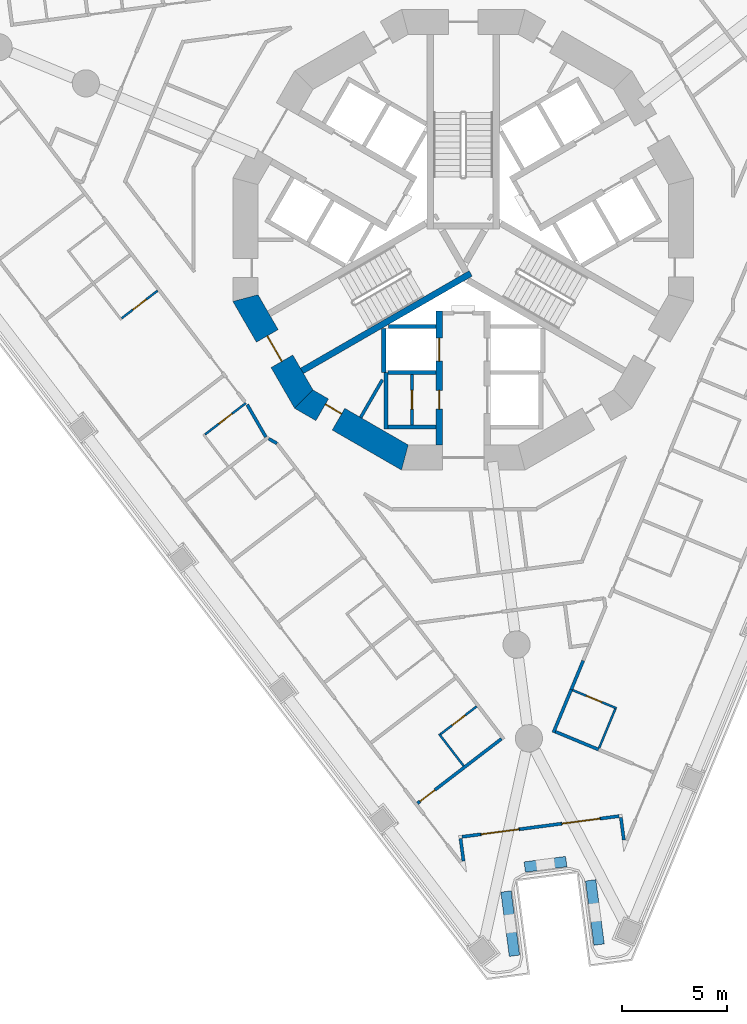
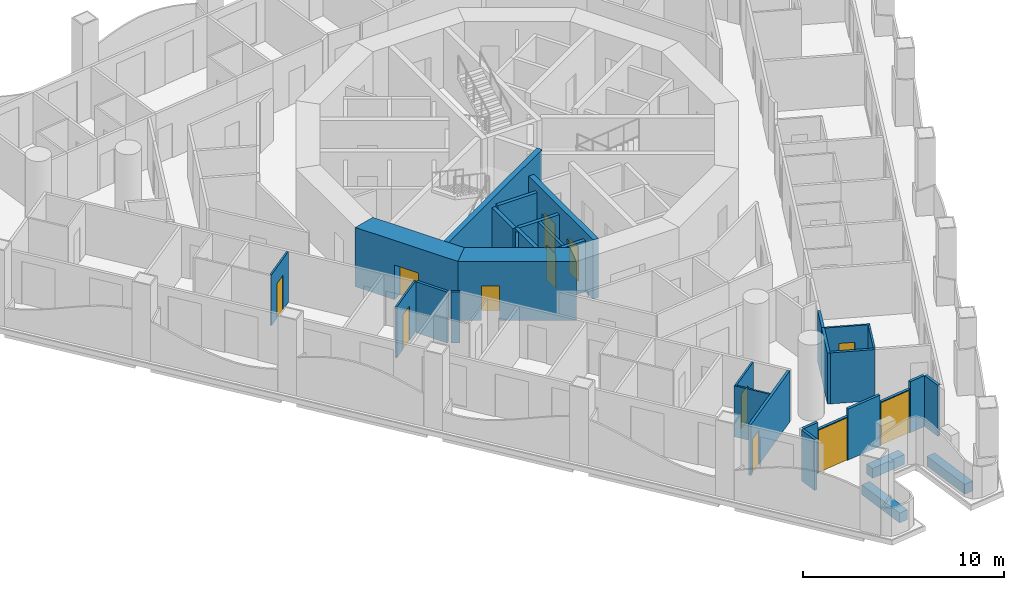
# One storey, part 3 of 19: 33 walls, 12 doors, 12 openings.
"""IFC4 building model written with IfcOpenShell, lengths in metres."""

from ifc_helpers import new_model, si_unit, direction, frame, frame_2d, origin, place, context, subcontext, project, spatial, polyline, rectangle, outline, extrude, material, layer, layer_set, type_object, element, fill, save


model = new_model("IFC4")

# Units and contexts
model_context = context("Model", 3, precision=1e-05, world=origin(), true_north=direction((0.0, 1.0)))
body_context = subcontext(model_context, "Body", "Model", "MODEL_VIEW")
ifc_project = project(units=[si_unit("LENGTHUNIT", "METRE"), si_unit("AREAUNIT", "SQUARE_METRE"), si_unit("VOLUMEUNIT", "CUBIC_METRE"), si_unit("PLANEANGLEUNIT", "RADIAN"), si_unit("MASSUNIT", "GRAM", prefix="KILO")], contexts=[model_context])

# Site, building, storey
site_placement = place(None, origin())
site = spatial("IfcSite", under=ifc_project, at=site_placement, CompositionType="ELEMENT")
building_placement = place(site_placement, origin())
building = spatial("IfcBuilding", under=site, at=building_placement, Name="Trine Commons Tower", CompositionType="ELEMENT")
storey_placement = place(building_placement, frame((0.0, 0.0, 79.199951171875)))
storey = spatial("IfcBuildingStorey", under=building, at=storey_placement, Name="L19", CompositionType="ELEMENT", Elevation=79.199951171875)

# Wall
ifc_material_1 = material(Name="Plasterboard partition on steel studs", Category="steel")
ifc_layer_1 = layer(ifc_material_1, 0.14990234375)
ifc_layer_set_1 = layer_set([ifc_layer_1], Name="Plasterboard partition on steel studs")
wall_type_1 = type_object("IfcWallType", Name="Core room partition 150 mm, EI 60", PredefinedType="PARTITIONING", material=ifc_layer_set_1)
wall_1_placement = place(storey_placement, frame((75.094970703125, 54.0029296875, 0.0), z_axis=(0.0, 0.0, 1.0), x_axis=(0.5000780968, 0.865980309881, 0.0)))
element("IfcWall", 1, at=wall_1_placement, inside=storey, type_object=wall_type_1, Name="Core room partition L19", PredefinedType="PARTITIONING", context=body_context, shape_type="SweptSolid", body=[
    extrude(rectangle(XDim=2.079833984375, YDim=0.14990234375, at=frame_2d((1.0400390625, 0.0))), origin(), (0.0, 0.0, 1.0), 3.10009765625),
])

# Wall, opening, door
wall_2_placement = place(storey_placement, frame((77.550048828125, 56.050048828125, 0.0), z_axis=(0.0, 0.0, 1.0), x_axis=(0.0, -1.0, 0.0)))
wall_2 = element("IfcWall", 2, at=wall_2_placement, inside=storey, type_object=wall_type_1, Name="Core room partition L19", PredefinedType="PARTITIONING", context=body_context, shape_type="SweptSolid", body=[
    extrude(rectangle(XDim=2.400146484375, YDim=0.14990234375, at=frame_2d((1.2001953125, 0.0))), origin(), (0.0, 0.0, 1.0), 3.10009765625),
])
opening_1_placement = place(wall_2_placement, frame((0.75, 0.0, 0.0)))
opening_1 = element("IfcOpeningElement", 3, at=opening_1_placement, cuts=wall_2, Name="Opening K06.11", PredefinedType="OPENING", context=body_context, shape_type="SweptSolid", body=[
    extrude(rectangle(XDim=0.89990234375, YDim=2.10009765625, at=frame_2d((0.449951171875, 1.050048828125))), frame((0.0, 0.0849609375, 0.0), z_axis=(0.0, -1.0, 0.0), x_axis=(1.0, 0.0, 0.0)), (0.0, 0.0, 1.0), 0.169921875),
])
ifc_material_2 = material(Name="Steel door leaf, fire-rated", Category="steel")
door_type_1 = type_object("IfcDoorType", Name="Core room door, single leaf 900 x 2100, FD30S", OperationType="SINGLE_SWING_LEFT", PredefinedType="DOOR", material=ifc_material_2)
door_1_placement = place(opening_1_placement, frame((0.89990234375, 0.0, 0.0), z_axis=(0.0, 0.0, 1.0), x_axis=(-1.0, 0.0, 0.0)))
door_1 = element("IfcDoor", 4, at=door_1_placement, inside=storey, type_object=door_type_1, Name="Door to Comms room L19", OperationType="SINGLE_SWING_LEFT", OverallHeight=2.10009765625, OverallWidth=0.89990234375, PredefinedType="DOOR", context=body_context, shape_type="SweptSolid", body=[
    extrude(rectangle(XDim=0.89990234375, YDim=2.10009765625, at=frame_2d((0.449951171875, 1.050048828125))), frame((0.0, 0.02490234375, 0.0), z_axis=(0.0, -1.0, 0.0), x_axis=(1.0, 0.0, 0.0)), (0.0, 0.0, 1.0), 0.050048828125),
])
fill(opening_1, door_1)

# Walls
ifc_material_3 = material(Name="Aluminium-framed insulated wall panel", Category="aluminium")
ifc_layer_2 = layer(ifc_material_3, 0.14990234375)
ifc_layer_set_2 = layer_set([ifc_layer_2], Name="Aluminium-framed insulated wall panel")
wall_type_2 = type_object("IfcWallType", Name="Glazed frame wall 150, EI 60", PredefinedType="SOLIDWALL", material=ifc_layer_set_2)
wall_3_placement = place(storey_placement, frame((87.6953125, 33.6591796875, 0.0), z_axis=(0.0, 0.0, 1.0), x_axis=(-0.130510858064, 0.991446880033, 0.0)))
element("IfcWall", 5, at=wall_3_placement, inside=storey, type_object=wall_type_2, Name="Glazed frame wall R9", PredefinedType="SOLIDWALL", context=body_context, shape_type="SweptSolid", body=[
    extrude(outline(polyline([(0.1494140625, 0.074951171875), (0.1494140625, -0.074951171875), (1.235107421875, -0.074951171875), (1.235107421875, 0.074951171875), (0.1494140625, 0.074951171875)])), origin(), (0.0, 0.0, 1.0), 3.10009765625),
])
wall_4_placement = place(storey_placement, frame((87.55908203125, 34.96240234375, 0.0), z_axis=(0.0, 0.0, 1.0), x_axis=(-0.991465094935, -0.130372410907, 0.0)))
element("IfcWall", 6, at=wall_4_placement, inside=storey, type_object=wall_type_2, Name="Glazed frame wall P3.1", PredefinedType="SOLIDWALL", context=body_context, shape_type="SweptSolid", body=[
    extrude(outline(polyline([(0.110107421875, -0.074951171875), (1.0, -0.074951171875), (1.0, 0.074951171875), (0.110107421875, 0.074951171875), (0.110107421875, -0.074951171875)])), origin(), (0.0, 0.0, 1.0), 3.10009765625),
])

# Wall, opening, door
wall_5_placement = place(storey_placement, frame((86.567626953125, 34.83203125, 0.0), z_axis=(0.0, 0.0, 1.0), x_axis=(-0.991442045538, -0.130547578832, 0.0)))
wall_5 = element("IfcWall", 7, at=wall_5_placement, inside=storey, type_object=wall_type_2, Name="Glazed frame wall P3.2", PredefinedType="SOLIDWALL", context=body_context, shape_type="SweptSolid", body=[
    extrude(outline(polyline([(0.0, -0.074951171875), (1.89990234375, -0.074951171875), (1.89990234375, 0.074951171875), (0.0, 0.074951171875), (0.0, -0.074951171875)])), origin(), (0.0, 0.0, 1.0), 2.650146484375),
])
opening_2_placement = place(wall_5_placement, frame((0.050048828125, 0.0, 0.0)))
opening_2 = element("IfcOpeningElement", 8, at=opening_2_placement, cuts=wall_5, Name="Opening BD-2P3-01", PredefinedType="OPENING", context=body_context, shape_type="SweptSolid", body=[
    extrude(rectangle(XDim=1.800048828125, YDim=2.60009765625, at=frame_2d((0.89990234375, 1.300048828125))), frame((0.0, 0.0849609375, 0.0), z_axis=(0.0, -1.0, 0.0), x_axis=(1.0, 0.0, 0.0)), (0.0, 0.0, 1.0), 0.169921875),
])
ifc_material_4 = material(Name="Anodised aluminium frame with double glazing", Category="aluminium")
door_type_2 = type_object("IfcDoorType", Name="Sliding loggia door 1800x2600", OperationType="SLIDING_TO_LEFT", PredefinedType="DOOR", material=ifc_material_4)
door_2_placement = place(opening_2_placement, origin())
door_2 = element("IfcDoor", 9, at=door_2_placement, inside=storey, type_object=door_type_2, Name="Loggia door P3 1", OperationType="SLIDING_TO_LEFT", OverallHeight=2.60009765625, OverallWidth=1.800048828125, PredefinedType="DOOR", context=body_context, shape_type="SweptSolid", body=[
    extrude(rectangle(XDim=1.800048828125, YDim=2.60009765625, at=frame_2d((0.89990234375, 1.300048828125))), frame((0.0, 0.02490234375, 0.0), z_axis=(0.0, -1.0, 0.0), x_axis=(1.0, 0.0, 0.0)), (0.0, 0.0, 1.0), 0.050048828125),
])
fill(opening_2, door_2)

# Wall
wall_6_placement = place(storey_placement, frame((84.683837890625, 34.583984375, 0.0), z_axis=(0.0, 0.0, 1.0), x_axis=(-0.991449308994, -0.130492404742, 0.0)))
element("IfcWall", 10, at=wall_6_placement, inside=storey, type_object=wall_type_2, Name="Glazed frame wall P3.3", PredefinedType="SOLIDWALL", context=body_context, shape_type="SweptSolid", body=[
    extrude(outline(polyline([(0.0, -0.074951171875), (2.0, -0.074951171875), (2.0, 0.074951171875), (0.0, 0.074951171875), (0.0, -0.074951171875)])), origin(), (0.0, 0.0, 1.0), 3.10009765625),
])

# Wall, opening, door
wall_7_placement = place(storey_placement, frame((82.700927734375, 34.322998046875, 0.0), z_axis=(0.0, 0.0, 1.0), x_axis=(-0.991442045538, -0.130547578832, 0.0)))
wall_7 = element("IfcWall", 11, at=wall_7_placement, inside=storey, type_object=wall_type_2, Name="Glazed frame wall P3.4", PredefinedType="SOLIDWALL", context=body_context, shape_type="SweptSolid", body=[
    extrude(outline(polyline([(0.0, -0.074951171875), (1.89990234375, -0.074951171875), (1.89990234375, 0.074951171875), (0.0, 0.074951171875), (0.0, -0.074951171875)])), origin(), (0.0, 0.0, 1.0), 2.650146484375),
])
opening_3_placement = place(wall_7_placement, frame((0.050048828125, 0.0, 0.0)))
opening_3 = element("IfcOpeningElement", 12, at=opening_3_placement, cuts=wall_7, Name="Opening BD-2P3-02", PredefinedType="OPENING", context=body_context, shape_type="SweptSolid", body=[
    extrude(rectangle(XDim=1.800048828125, YDim=2.60009765625, at=frame_2d((0.89990234375, 1.300048828125))), frame((0.0, 0.0849609375, 0.0), z_axis=(0.0, -1.0, 0.0), x_axis=(1.0, 0.0, 0.0)), (0.0, 0.0, 1.0), 0.169921875),
])
door_3_placement = place(opening_3_placement, origin())
door_3 = element("IfcDoor", 13, at=door_3_placement, inside=storey, type_object=door_type_2, Name="Loggia door P3 2", OperationType="SLIDING_TO_LEFT", OverallHeight=2.60009765625, OverallWidth=1.800048828125, PredefinedType="DOOR", context=body_context, shape_type="SweptSolid", body=[
    extrude(rectangle(XDim=1.800048828125, YDim=2.60009765625, at=frame_2d((0.89990234375, 1.300048828125))), frame((0.0, 0.02490234375, 0.0), z_axis=(0.0, -1.0, 0.0), x_axis=(1.0, 0.0, 0.0)), (0.0, 0.0, 1.0), 0.050048828125),
])
fill(opening_3, door_3)

# Walls
wall_8_placement = place(storey_placement, frame((80.817138671875, 34.074951171875, 0.0), z_axis=(0.0, 0.0, 1.0), x_axis=(-0.991433509034, -0.130612392842, 0.0)))
element("IfcWall", 14, at=wall_8_placement, inside=storey, type_object=wall_type_2, Name="Glazed frame wall P3.5", PredefinedType="SOLIDWALL", context=body_context, shape_type="SweptSolid", body=[
    extrude(outline(polyline([(0.889892578125, 0.074951171875), (0.0, 0.074951171875), (0.0, -0.074951171875), (0.889892578125, -0.074951171875), (0.889892578125, 0.074951171875)])), origin(), (0.0, 0.0, 1.0), 3.10009765625),
])
wall_9_placement = place(storey_placement, frame((79.85595703125, 33.983642578125, 0.0), z_axis=(0.0, 0.0, 1.0), x_axis=(0.130510858064, -0.991446880033, 0.0)))
element("IfcWall", 15, at=wall_9_placement, inside=storey, type_object=wall_type_2, Name="Glazed frame wall R11", PredefinedType="SOLIDWALL", context=body_context, shape_type="SweptSolid", body=[
    extrude(outline(polyline([(0.110107421875, 0.074951171875), (0.110107421875, -0.074951171875), (1.19580078125, -0.074951171875), (1.19580078125, 0.074951171875), (0.110107421875, 0.074951171875)])), origin(), (0.0, 0.0, 1.0), 3.10009765625),
])
ifc_material_5 = material(Name="Planter trough, precast concrete C40/50", Category="concrete")
ifc_layer_3 = layer(ifc_material_5, 0.5)
ifc_layer_set_3 = layer_set([ifc_layer_3], Name="Planter trough, precast concrete C40/50")
wall_type_3 = type_object("IfcWallType", Name="Planter trough 500x600", PredefinedType="PARAPET", material=ifc_layer_set_3)
wall_10_placement = place(storey_placement, frame((86.493408203125, 28.805908203125, 0.0), z_axis=(0.0, 0.0, 1.0), x_axis=(-0.130507484591, 0.9914473241, 0.0)))
element("IfcWall", 16, at=wall_10_placement, inside=storey, type_object=wall_type_3, Name="Planter 7", PredefinedType="PARAPET", context=body_context, shape_type="SweptSolid", body=[
    extrude(rectangle(XDim=3.099853515625, YDim=0.5, at=frame_2d((1.5498046875, 0.0))), origin(), (0.0, 0.0, 1.0), 0.60009765625),
])
wall_11_placement = place(storey_placement, frame((84.922119140625, 32.774658203125, 0.0), z_axis=(0.0, 0.0, 1.0), x_axis=(-0.991433509034, -0.130612392842, 0.0)))
element("IfcWall", 17, at=wall_11_placement, inside=storey, type_object=wall_type_3, Name="Planter 8", PredefinedType="PARAPET", context=body_context, shape_type="SweptSolid", body=[
    extrude(rectangle(XDim=2.0, YDim=0.5, at=frame_2d((1.0, 0.0))), origin(), (0.0, 0.0, 1.0), 0.60009765625),
])
wall_12_placement = place(storey_placement, frame((82.043701171875, 31.3466796875, 0.0), z_axis=(0.0, 0.0, 1.0), x_axis=(0.130574707151, -0.991438473054, 0.0)))
element("IfcWall", 18, at=wall_12_placement, inside=storey, type_object=wall_type_3, Name="Planter 9", PredefinedType="PARAPET", context=body_context, shape_type="SweptSolid", body=[
    extrude(rectangle(XDim=3.10009765625, YDim=0.5, at=frame_2d((1.550048828125, 0.0))), origin(), (0.0, 0.0, 1.0), 0.60009765625),
])

# Wall, opening, door
ifc_material_6 = material(Name="Concrete C80/95", Category="concrete")
ifc_layer_4 = layer(ifc_material_6, 1.199951171875)
ifc_layer_set_4 = layer_set([ifc_layer_4], Name="Concrete C80/95")
wall_type_4 = type_object("IfcWallType", Name="RC shear wall 1200 mm, C80/95", PredefinedType="SHEAR", material=ifc_layer_set_4)
wall_13_placement = place(storey_placement, frame((69.508056640625, 59.849609375, 0.0), z_axis=(0.0, 0.0, 1.0), x_axis=(0.499979111662, -0.866037463336, 0.0)))
wall_13 = element("IfcWall", 19, at=wall_13_placement, inside=storey, type_object=wall_type_4, Name="Core wall CWB-08 L19", PredefinedType="SHEAR", context=body_context, shape_type="SweptSolid", body=[
    extrude(outline(polyline([(0.0, -0.60009765625), (5.901123046875, -0.60009765625), (5.57958984375, 0.60009765625), (0.321533203125, 0.60009765625), (0.0, -0.60009765625)])), origin(), (0.0, 0.0, 1.0), 3.60009765625),
])
opening_4_placement = place(wall_13_placement, frame((2.25048828125, 0.0, 0.0)))
opening_4 = element("IfcOpeningElement", 20, at=opening_4_placement, cuts=wall_13, Name="Opening K06.02", PredefinedType="OPENING", context=body_context, shape_type="SweptSolid", body=[
    extrude(rectangle(XDim=1.39990234375, YDim=2.10009765625, at=frame_2d((0.699951171875, 1.050048828125))), frame((0.0, 0.60986328125, 0.0), z_axis=(0.0, -1.0, 0.0), x_axis=(1.0, 0.0, 0.0)), (0.0, 0.0, 1.0), 1.219970703125),
])
ifc_material_7 = material(Name="Steel door leaves, fire-rated", Category="steel")
door_type_3 = type_object("IfcDoorType", Name="Stair door, double leaf 1400 x 2100, FD90", OperationType="DOUBLE_DOOR_SINGLE_SWING", PredefinedType="DOOR", material=ifc_material_7)
door_4_placement = place(opening_4_placement, origin())
door_4 = element("IfcDoor", 21, at=door_4_placement, inside=storey, type_object=door_type_3, Name="Stair door to Exit stair ST2A L19", OperationType="DOUBLE_DOOR_SINGLE_SWING", OverallHeight=2.10009765625, OverallWidth=1.39990234375, PredefinedType="DOOR", context=body_context, shape_type="SweptSolid", body=[
    extrude(rectangle(XDim=1.39990234375, YDim=2.10009765625, at=frame_2d((0.699951171875, 1.050048828125))), frame((0.0, 0.02490234375, 0.0), z_axis=(0.0, -1.0, 0.0), x_axis=(1.0, 0.0, 0.0)), (0.0, 0.0, 1.0), 0.050048828125),
])
fill(opening_4, door_4)

wall_14_placement = place(storey_placement, frame((72.239013671875, 54.95849609375, 0.0), z_axis=(0.0, 0.0, 1.0), x_axis=(0.866037463336, -0.499979111662, 0.0)))
wall_14 = element("IfcWall", 22, at=wall_14_placement, inside=storey, type_object=wall_type_4, Name="Core wall CWB-09 L19", PredefinedType="SHEAR", context=body_context, shape_type="SweptSolid", body=[
    extrude(outline(polyline([(0.0, -0.60009765625), (5.901123046875, -0.60009765625), (5.57958984375, 0.60009765625), (0.321533203125, 0.60009765625), (0.0, -0.60009765625)])), origin(), (0.0, 0.0, 1.0), 3.60009765625),
])
opening_5_placement = place(wall_14_placement, frame((1.176513671875, 0.0, 0.0)))
opening_5 = element("IfcOpeningElement", 23, at=opening_5_placement, cuts=wall_14, Name="Opening K06.15", PredefinedType="OPENING", context=body_context, shape_type="SweptSolid", body=[
    extrude(rectangle(XDim=0.89990234375, YDim=2.10009765625, at=frame_2d((0.449951171875, 1.050048828125))), frame((0.0, 0.60986328125, 0.0), z_axis=(0.0, -1.0, 0.0), x_axis=(1.0, 0.0, 0.0)), (0.0, 0.0, 1.0), 1.219970703125),
])
door_5_placement = place(opening_5_placement, origin())
door_5 = element("IfcDoor", 24, at=door_5_placement, inside=storey, type_object=door_type_1, Name="Door to Print room L19", OperationType="SINGLE_SWING_LEFT", OverallHeight=2.10009765625, OverallWidth=0.89990234375, PredefinedType="DOOR", context=body_context, shape_type="SweptSolid", body=[
    extrude(rectangle(XDim=0.89990234375, YDim=2.10009765625, at=frame_2d((0.449951171875, 1.050048828125))), frame((0.0, 0.3251953125, 0.0), z_axis=(0.0, -1.0, 0.0), x_axis=(1.0, 0.0, 0.0)), (0.0, 0.0, 1.0), 0.050048828125),
])
fill(opening_5, door_5)

# Wall, openings, doors
ifc_layer_5 = layer(ifc_material_6, 0.300048828125)
ifc_layer_set_5 = layer_set([ifc_layer_5], Name="Concrete C80/95")
wall_type_5 = type_object("IfcWallType", Name="RC shear wall 300 mm, C80/95", PredefinedType="SHEAR", material=ifc_layer_set_5)
wall_15_placement = place(storey_placement, frame((78.85009765625, 59.10009765625, 0.0), z_axis=(0.0, 0.0, 1.0), x_axis=(0.0, -1.0, 0.0)))
wall_15 = element("IfcWall", 25, at=wall_15_placement, inside=storey, type_object=wall_type_5, Name="Core cross wall SWA-03 L19", PredefinedType="SHEAR", context=body_context, shape_type="SweptSolid", body=[
    extrude(rectangle(XDim=6.412109375, YDim=0.300048828125, at=frame_2d((3.2060546875, 0.0))), origin(), (0.0, 0.0, 1.0), 3.60009765625),
])
opening_6_placement = place(wall_15_placement, frame((3.800048828125, 0.0, 0.0)))
opening_6 = element("IfcOpeningElement", 26, at=opening_6_placement, cuts=wall_15, Name="Opening K06.10", PredefinedType="OPENING", context=body_context, shape_type="SweptSolid", body=[
    extrude(rectangle(XDim=0.89990234375, YDim=2.10009765625, at=frame_2d((0.449951171875, 1.050048828125))), frame((0.0, 0.159912109375, 0.0), z_axis=(0.0, -1.0, 0.0), x_axis=(1.0, 0.0, 0.0)), (0.0, 0.0, 1.0), 0.320068359375),
])
opening_7_placement = place(wall_15_placement, frame((1.300048828125, 0.0, 0.0)))
opening_7 = element("IfcOpeningElement", 27, at=opening_7_placement, cuts=wall_15, Name="Opening LD10", PredefinedType="OPENING", context=body_context, shape_type="SweptSolid", body=[
    extrude(rectangle(XDim=1.10009765625, YDim=2.10009765625, at=frame_2d((0.550048828125, 1.050048828125))), frame((0.0, 0.159912109375, 0.0), z_axis=(0.0, -1.0, 0.0), x_axis=(1.0, 0.0, 0.0)), (0.0, 0.0, 1.0), 0.320068359375),
])
door_6_placement = place(opening_6_placement, frame((0.89990234375, 0.0, 0.0), z_axis=(0.0, 0.0, 1.0), x_axis=(-1.0, 0.0, 0.0)))
door_6 = element("IfcDoor", 28, at=door_6_placement, inside=storey, type_object=door_type_1, Name="Door to Pantry L19", OperationType="SINGLE_SWING_RIGHT", OverallHeight=2.10009765625, OverallWidth=0.89990234375, PredefinedType="DOOR", context=body_context, shape_type="SweptSolid", body=[
    extrude(rectangle(XDim=0.89990234375, YDim=2.10009765625, at=frame_2d((0.449951171875, 1.050048828125))), frame((0.0, 0.02490234375, 0.0), z_axis=(0.0, -1.0, 0.0), x_axis=(1.0, 0.0, 0.0)), (0.0, 0.0, 1.0), 0.050048828125),
])
fill(opening_6, door_6)
ifc_material_8 = material(Name="Stainless steel sliding door leaves", Category="steel")
door_type_4 = type_object("IfcDoorType", Name="Lift landing door, centre-opening sliding 1100 x 2100, FD90", OperationType="DOUBLE_DOOR_SLIDING", PredefinedType="DOOR", material=ifc_material_8)
door_7_placement = place(opening_7_placement, origin())
door_7 = element("IfcDoor", 29, at=door_7_placement, inside=storey, type_object=door_type_4, Name="Lift landing door FF2 L19", OperationType="DOUBLE_DOOR_SLIDING", OverallHeight=2.10009765625, OverallWidth=1.10009765625, PredefinedType="DOOR", context=body_context, shape_type="SweptSolid", body=[
    extrude(rectangle(XDim=1.10009765625, YDim=2.10009765625, at=frame_2d((0.550048828125, 1.050048828125))), frame((0.0, 0.02490234375, 0.0), z_axis=(0.0, -1.0, 0.0), x_axis=(1.0, 0.0, 0.0)), (0.0, 0.0, 1.0), 0.050048828125),
])
fill(opening_7, door_7)

# Walls
wall_16_placement = place(storey_placement, frame((80.35400390625, 60.885986328125, 0.0), z_axis=(0.0, 0.0, 1.0), x_axis=(-0.865986456211, -0.50006745311, 0.0)))
element("IfcWall", 30, at=wall_16_placement, inside=storey, type_object=wall_type_5, Name="Core cross wall SWA-14 L19", PredefinedType="SHEAR", context=body_context, shape_type="SweptSolid", body=[
    extrude(rectangle(XDim=9.310791015625, YDim=0.300048828125, at=frame_2d((4.6552734375, 0.0))), origin(), (0.0, 0.0, 1.0), 3.60009765625),
])
ifc_material_9 = material(Name="Fire-rated gypsum shaft wall system")
ifc_layer_6 = layer(ifc_material_9, 0.199951171875)
ifc_layer_set_6 = layer_set([ifc_layer_6], Name="Fire-rated gypsum shaft wall system")
wall_type_6 = type_object("IfcWallType", Name="Shaft wall 200 mm, EI 120", PredefinedType="PARTITIONING", material=ifc_layer_set_6)
wall_17_placement = place(storey_placement, frame((76.199951171875, 58.256103515625, 0.0), z_axis=(0.0, 0.0, 1.0), x_axis=(0.0, -1.0, 0.0)))
element("IfcWall", 31, at=wall_17_placement, inside=storey, type_object=wall_type_6, Name="Shaft wall L19", PredefinedType="PARTITIONING", context=body_context, shape_type="SweptSolid", body=[
    extrude(rectangle(XDim=2.106201171875, YDim=0.199951171875, at=frame_2d((1.05322265625, 0.0))), origin(), (0.0, 0.0, 1.0), 3.10009765625),
])
wall_18_placement = place(storey_placement, frame((76.300048828125, 56.14990234375, 0.0), z_axis=(0.0, 0.0, 1.0), x_axis=(0.0, -1.0, 0.0)))
element("IfcWall", 32, at=wall_18_placement, inside=storey, type_object=wall_type_6, Name="Shaft wall L19", PredefinedType="PARTITIONING", context=body_context, shape_type="SweptSolid", body=[
    extrude(rectangle(XDim=2.699951171875, YDim=0.199951171875, at=frame_2d((1.35009765625, 0.0))), origin(), (0.0, 0.0, 1.0), 3.10009765625),
])
for number, where, z_axis, x_axis, name in (
    (33, (78.699951171875, 53.550048828125, 0.0), (0.0, 0.0, 1.0), (-1.0, 0.0, 0.0), "Shaft wall L19"),
    (34, (78.699951171875, 56.14990234375, 0.0), (0.0, 0.0, 1.0), (-1.0, 0.0, 0.0), "Shaft wall L19"),
):
    element("IfcWall", number, at=place(storey_placement, frame(where, z_axis=z_axis, x_axis=x_axis)), inside=storey, type_object=wall_type_6, Name=name, PredefinedType="PARTITIONING", context=body_context, shape_type="SweptSolid", body=[
        extrude(rectangle(XDim=2.300048828125, YDim=0.199951171875, at=frame_2d((1.14990234375, 0.0))), origin(), (0.0, 0.0, 1.0), 3.10009765625),
    ])
wall_19_placement = place(storey_placement, frame((78.699951171875, 58.35009765625, 0.0), z_axis=(0.0, 0.0, 1.0), x_axis=(-1.0, 0.0, 0.0)))
element("IfcWall", 35, at=wall_19_placement, inside=storey, type_object=wall_type_6, Name="Shaft wall L19", PredefinedType="PARTITIONING", context=body_context, shape_type="SweptSolid", body=[
    extrude(rectangle(XDim=2.264892578125, YDim=0.199951171875, at=frame_2d((1.13232421875, 0.0))), origin(), (0.0, 0.0, 1.0), 3.10009765625),
])
ifc_material_10 = material(Name="Gypsum plasterboard on steel stud", Category="steel")
ifc_layer_7 = layer(ifc_material_10, 0.14990234375)
ifc_layer_set_7 = layer_set([ifc_layer_7], Name="Gypsum plasterboard on steel stud")
wall_type_7 = type_object("IfcWallType", Name="Unit and corridor wall 150 mm, EI 60", PredefinedType="PARTITIONING", material=ifc_layer_set_7)
wall_20_placement = place(storey_placement, frame((69.674072265625, 54.612060546875, 0.0), z_axis=(0.0, 0.0, 1.0), x_axis=(0.499655352634, -0.866224294616, 0.0)))
element("IfcWall", 36, at=wall_20_placement, inside=storey, type_object=wall_type_7, Name="Partition 047", PredefinedType="PARTITIONING", context=body_context, shape_type="SweptSolid", body=[
    extrude(rectangle(XDim=1.784912109375, YDim=0.14990234375, at=frame_2d((0.892578125, 0.0))), origin(), (0.0, 0.0, 1.0), 3.10009765625),
])
wall_21_placement = place(storey_placement, frame((70.701904296875, 52.987548828125, 0.0), z_axis=(0.0, 0.0, 1.0), x_axis=(0.866382612495, -0.499380785339, 0.0)))
element("IfcWall", 37, at=wall_21_placement, inside=storey, type_object=wall_type_7, Name="Partition 052", PredefinedType="PARTITIONING", context=body_context, shape_type="SweptSolid", body=[
    extrude(rectangle(XDim=0.45361328125, YDim=0.14990234375, at=frame_2d((0.226806640625, 0.0))), origin(), (0.0, 0.0, 1.0), 3.10009765625),
])

# Wall, opening, door
wall_22_placement = place(storey_placement, frame((77.810791015625, 35.560302734375, 0.0), z_axis=(0.0, 0.0, 1.0), x_axis=(0.793261664916, 0.60888088406, 0.0)))
wall_22 = element("IfcWall", 38, at=wall_22_placement, inside=storey, type_object=wall_type_7, Name="Partition 072", PredefinedType="PARTITIONING", context=body_context, shape_type="SweptSolid", body=[
    extrude(rectangle(XDim=5.0634765625, YDim=0.14990234375, at=frame_2d((2.53173828125, 0.0))), origin(), (0.0, 0.0, 1.0), 3.10009765625),
])
opening_8_placement = place(wall_22_placement, frame((0.14990234375, 0.0, 0.0)))
opening_8 = element("IfcOpeningElement", 39, at=opening_8_placement, cuts=wall_22, Name="Opening D-2C24", PredefinedType="OPENING", context=body_context, shape_type="SweptSolid", body=[
    extrude(rectangle(XDim=0.89990234375, YDim=2.10009765625, at=frame_2d((0.449951171875, 1.050048828125))), frame((0.0, 0.0849609375, 0.0), z_axis=(0.0, -1.0, 0.0), x_axis=(1.0, 0.0, 0.0)), (0.0, 0.0, 1.0), 0.169921875),
])
ifc_material_11 = material(Name="Timber fire door set", Category="wood")
door_type_5 = type_object("IfcDoorType", Name="Bedroom door 900 x 2100, FD30S", OperationType="NOTDEFINED", PredefinedType="DOOR", material=ifc_material_11)
door_8_placement = place(opening_8_placement, origin())
door_8 = element("IfcDoor", 40, at=door_8_placement, inside=storey, type_object=door_type_5, Name="Door D-2C24", OperationType="SINGLE_SWING_LEFT", OverallHeight=2.10009765625, OverallWidth=0.89990234375, PredefinedType="DOOR", context=body_context, shape_type="SweptSolid", body=[
    extrude(rectangle(XDim=0.89990234375, YDim=2.10009765625, at=frame_2d((0.449951171875, 1.050048828125))), frame((0.0, 0.02490234375, 0.0), z_axis=(0.0, -1.0, 0.0), x_axis=(1.0, 0.0, 0.0)), (0.0, 0.0, 1.0), 0.050048828125),
])
fill(opening_8, door_8)

# Walls
wall_23_placement = place(storey_placement, frame((84.310302734375, 38.941650390625, 0.0), z_axis=(0.0, 0.0, 1.0), x_axis=(0.382789938294, 0.923835409118, 0.0)))
element("IfcWall", 41, at=wall_23_placement, inside=storey, type_object=wall_type_7, Name="Partition 087", PredefinedType="PARTITIONING", context=body_context, shape_type="SweptSolid", body=[
    extrude(rectangle(XDim=2.280029296875, YDim=0.14990234375, at=frame_2d((1.14013671875, 0.0))), origin(), (0.0, 0.0, 1.0), 3.10009765625),
])
wall_24_placement = place(storey_placement, frame((84.408203125, 38.982421875, 0.0), z_axis=(0.0, 0.0, 1.0), x_axis=(0.923765743921, -0.382958026888, 0.0)))
element("IfcWall", 42, at=wall_24_placement, inside=storey, type_object=wall_type_7, Name="Partition 088", PredefinedType="PARTITIONING", context=body_context, shape_type="SweptSolid", body=[
    extrude(rectangle(XDim=2.228759765625, YDim=0.14990234375, at=frame_2d((1.1142578125, 0.0))), origin(), (0.0, 0.0, 1.0), 3.10009765625),
])
wall_25_placement = place(storey_placement, frame((85.160888671875, 40.993896484375, 0.0), z_axis=(0.0, 0.0, 1.0), x_axis=(0.382519732759, 0.923947322118, 0.0)))
element("IfcWall", 43, at=wall_25_placement, inside=storey, type_object=wall_type_7, Name="Partition 092", PredefinedType="PARTITIONING", context=body_context, shape_type="SweptSolid", body=[
    extrude(rectangle(XDim=1.498046875, YDim=0.14990234375, at=frame_2d((0.7490234375, 0.0))), origin(), (0.0, 0.0, 1.0), 3.10009765625),
])

# Wall, opening, door
ifc_layer_8 = layer(ifc_material_10, 0.10009765625)
ifc_layer_set_8 = layer_set([ifc_layer_8], Name="Gypsum plasterboard on steel stud")
wall_type_8 = type_object("IfcWallType", Name="Unit partition 100 mm, no rating", PredefinedType="PARTITIONING", material=ifc_layer_set_8)
wall_26_placement = place(storey_placement, frame((63.666748046875, 58.73828125, 0.0), z_axis=(0.0, 0.0, 1.0), x_axis=(0.793203445283, 0.608956726206, 0.0)))
wall_26 = element("IfcWall", 44, at=wall_26_placement, inside=storey, type_object=wall_type_8, Name="Partition 025", PredefinedType="PARTITIONING", context=body_context, shape_type="SweptSolid", body=[
    extrude(rectangle(XDim=2.17578125, YDim=0.10009765625, at=frame_2d((1.087890625, 0.0))), origin(), (0.0, 0.0, 1.0), 3.10009765625),
])
opening_9_placement = place(wall_26_placement, frame((0.68798828125, 0.0, 0.0)))
opening_9 = element("IfcOpeningElement", 45, at=opening_9_placement, cuts=wall_26, Name="Opening D-2C62", PredefinedType="OPENING", context=body_context, shape_type="SweptSolid", body=[
    extrude(rectangle(XDim=0.800048828125, YDim=2.10009765625, at=frame_2d((0.39990234375, 1.050048828125))), frame((0.0, 0.06005859375, 0.0), z_axis=(0.0, -1.0, 0.0), x_axis=(1.0, 0.0, 0.0)), (0.0, 0.0, 1.0), 0.1201171875),
])
ifc_material_12 = material(Name="Painted timber", Category="wood")
door_type_6 = type_object("IfcDoorType", Name="Internal door 800 x 2100, NOT RATED", OperationType="NOTDEFINED", PredefinedType="DOOR", material=ifc_material_12)
door_9_placement = place(opening_9_placement, frame((0.800048828125, 0.0, 0.0), z_axis=(0.0, 0.0, 1.0), x_axis=(-1.0, 0.0, 0.0)))
door_9 = element("IfcDoor", 46, at=door_9_placement, inside=storey, type_object=door_type_6, Name="Door D-2C62", OperationType="SINGLE_SWING_LEFT", OverallHeight=2.10009765625, OverallWidth=0.800048828125, PredefinedType="DOOR", context=body_context, shape_type="SweptSolid", body=[
    extrude(rectangle(XDim=0.800048828125, YDim=2.10009765625, at=frame_2d((0.39990234375, 1.050048828125))), frame((0.0, 0.02490234375, 0.0), z_axis=(0.0, -1.0, 0.0), x_axis=(1.0, 0.0, 0.0)), (0.0, 0.0, 1.0), 0.050048828125),
])
fill(opening_9, door_9)

wall_27_placement = place(storey_placement, frame((67.65478515625, 53.189453125, 0.0), z_axis=(0.0, 0.0, 1.0), x_axis=(0.79352183508, 0.608541779381, 0.0)))
wall_27 = element("IfcWall", 47, at=wall_27_placement, inside=storey, type_object=wall_type_8, Name="Partition 043", PredefinedType="PARTITIONING", context=body_context, shape_type="SweptSolid", body=[
    extrude(rectangle(XDim=2.464111328125, YDim=0.10009765625, at=frame_2d((1.23193359375, 0.0))), origin(), (0.0, 0.0, 1.0), 3.10009765625),
])
opening_10_placement = place(wall_27_placement, frame((0.83203125, 0.0, 0.0)))
opening_10 = element("IfcOpeningElement", 48, at=opening_10_placement, cuts=wall_27, Name="Opening D-2C61", PredefinedType="OPENING", context=body_context, shape_type="SweptSolid", body=[
    extrude(rectangle(XDim=0.800048828125, YDim=2.10009765625, at=frame_2d((0.39990234375, 1.050048828125))), frame((0.0, 0.06005859375, 0.0), z_axis=(0.0, -1.0, 0.0), x_axis=(1.0, 0.0, 0.0)), (0.0, 0.0, 1.0), 0.1201171875),
])
door_10_placement = place(opening_10_placement, origin())
door_10 = element("IfcDoor", 49, at=door_10_placement, inside=storey, type_object=door_type_6, Name="Door D-2C61", OperationType="SINGLE_SWING_LEFT", OverallHeight=2.10009765625, OverallWidth=0.800048828125, PredefinedType="DOOR", context=body_context, shape_type="SweptSolid", body=[
    extrude(rectangle(XDim=0.800048828125, YDim=2.10009765625, at=frame_2d((0.39990234375, 1.050048828125))), frame((0.0, 0.02490234375, 0.0), z_axis=(0.0, -1.0, 0.0), x_axis=(1.0, 0.0, 0.0)), (0.0, 0.0, 1.0), 0.050048828125),
])
fill(opening_10, door_10)

# Wall
wall_28_placement = place(storey_placement, frame((78.845703125, 38.875732421875, 0.0), z_axis=(0.0, 0.0, 1.0), x_axis=(0.608649853766, -0.793438942522, 0.0)))
element("IfcWall", 50, at=wall_28_placement, inside=storey, type_object=wall_type_8, Name="Partition 075", PredefinedType="PARTITIONING", context=body_context, shape_type="SweptSolid", body=[
    extrude(rectangle(XDim=1.925048828125, YDim=0.10009765625, at=frame_2d((0.96240234375, 0.0))), origin(), (0.0, 0.0, 1.0), 3.10009765625),
])

# Wall, opening, door
wall_29_placement = place(storey_placement, frame((78.915771484375, 38.866455078125, 0.0), z_axis=(0.0, 0.0, 1.0), x_axis=(0.793266438723, 0.608874664603, 0.0)))
wall_29 = element("IfcWall", 51, at=wall_29_placement, inside=storey, type_object=wall_type_8, Name="Partition 076", PredefinedType="PARTITIONING", context=body_context, shape_type="SweptSolid", body=[
    extrude(rectangle(XDim=2.174072265625, YDim=0.10009765625, at=frame_2d((1.0869140625, 0.0))), origin(), (0.0, 0.0, 1.0), 3.10009765625),
])
opening_11_placement = place(wall_29_placement, frame((0.687255859375, 0.0, 0.0)))
opening_11 = element("IfcOpeningElement", 52, at=opening_11_placement, cuts=wall_29, Name="Opening D-2C57", PredefinedType="OPENING", context=body_context, shape_type="SweptSolid", body=[
    extrude(rectangle(XDim=0.800048828125, YDim=2.10009765625, at=frame_2d((0.39990234375, 1.050048828125))), frame((0.0, 0.06005859375, 0.0), z_axis=(0.0, -1.0, 0.0), x_axis=(1.0, 0.0, 0.0)), (0.0, 0.0, 1.0), 0.1201171875),
])
door_11_placement = place(opening_11_placement, origin())
door_11 = element("IfcDoor", 53, at=door_11_placement, inside=storey, type_object=door_type_6, Name="Door D-2C57", OperationType="SINGLE_SWING_RIGHT", OverallHeight=2.10009765625, OverallWidth=0.800048828125, PredefinedType="DOOR", context=body_context, shape_type="SweptSolid", body=[
    extrude(rectangle(XDim=0.800048828125, YDim=2.10009765625, at=frame_2d((0.39990234375, 1.050048828125))), frame((0.0, 0.02490234375, 0.0), z_axis=(0.0, -1.0, 0.0), x_axis=(1.0, 0.0, 0.0)), (0.0, 0.0, 1.0), 0.050048828125),
])
fill(opening_11, door_11)

wall_30_placement = place(storey_placement, frame((85.231201171875, 40.96923828125, 0.0), z_axis=(0.0, 0.0, 1.0), x_axis=(0.923931833824, -0.382557141415, 0.0)))
wall_30 = element("IfcWall", 54, at=wall_30_placement, inside=storey, type_object=wall_type_8, Name="Partition 094", PredefinedType="PARTITIONING", context=body_context, shape_type="SweptSolid", body=[
    extrude(rectangle(XDim=2.275146484375, YDim=0.10009765625, at=frame_2d((1.1376953125, 0.0))), origin(), (0.0, 0.0, 1.0), 3.10009765625),
])
opening_12_placement = place(wall_30_placement, frame((0.71240234375, 0.0, 0.0)))
opening_12 = element("IfcOpeningElement", 55, at=opening_12_placement, cuts=wall_30, Name="Opening D-2C56", PredefinedType="OPENING", context=body_context, shape_type="SweptSolid", body=[
    extrude(rectangle(XDim=0.800048828125, YDim=2.10009765625, at=frame_2d((0.39990234375, 1.050048828125))), frame((0.0, 0.06005859375, 0.0), z_axis=(0.0, -1.0, 0.0), x_axis=(1.0, 0.0, 0.0)), (0.0, 0.0, 1.0), 0.1201171875),
])
door_12_placement = place(opening_12_placement, origin())
door_12 = element("IfcDoor", 56, at=door_12_placement, inside=storey, type_object=door_type_6, Name="Door D-2C56", OperationType="SINGLE_SWING_LEFT", OverallHeight=2.10009765625, OverallWidth=0.800048828125, PredefinedType="DOOR", context=body_context, shape_type="SweptSolid", body=[
    extrude(rectangle(XDim=0.800048828125, YDim=2.10009765625, at=frame_2d((0.39990234375, 1.050048828125))), frame((0.0, 0.02490234375, 0.0), z_axis=(0.0, -1.0, 0.0), x_axis=(1.0, 0.0, 0.0)), (0.0, 0.0, 1.0), 0.050048828125),
])
fill(opening_12, door_12)

# Wall
wall_31_placement = place(storey_placement, frame((86.49267578125, 38.2001953125, 0.0), z_axis=(0.0, 0.0, 1.0), x_axis=(0.382646278951, 0.923894921084, 0.0)))
element("IfcWall", 57, at=wall_31_placement, inside=storey, type_object=wall_type_8, Name="Partition 100", PredefinedType="PARTITIONING", context=body_context, shape_type="SweptSolid", body=[
    extrude(rectangle(XDim=2.025634765625, YDim=0.10009765625, at=frame_2d((1.0126953125, 0.0))), origin(), (0.0, 0.0, 1.0), 3.10009765625),
])

save(model, "model.ifc")
